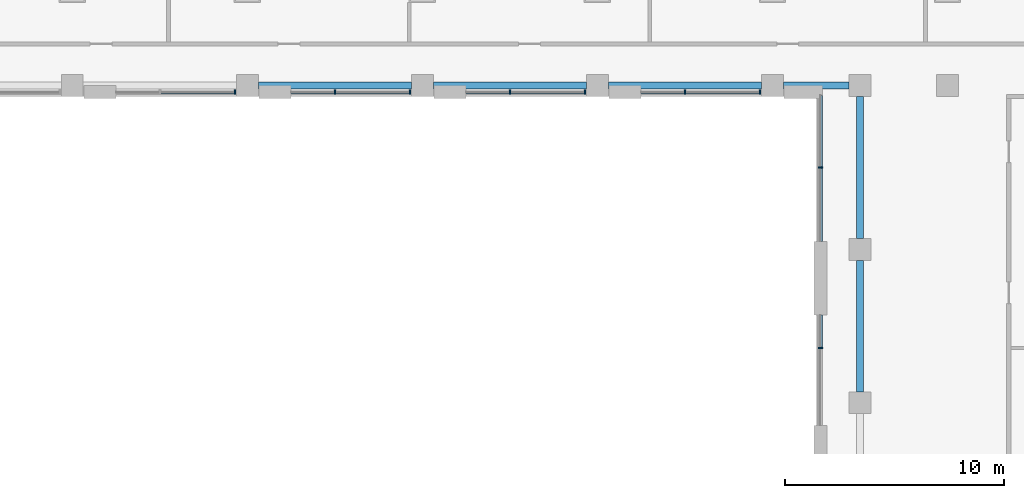
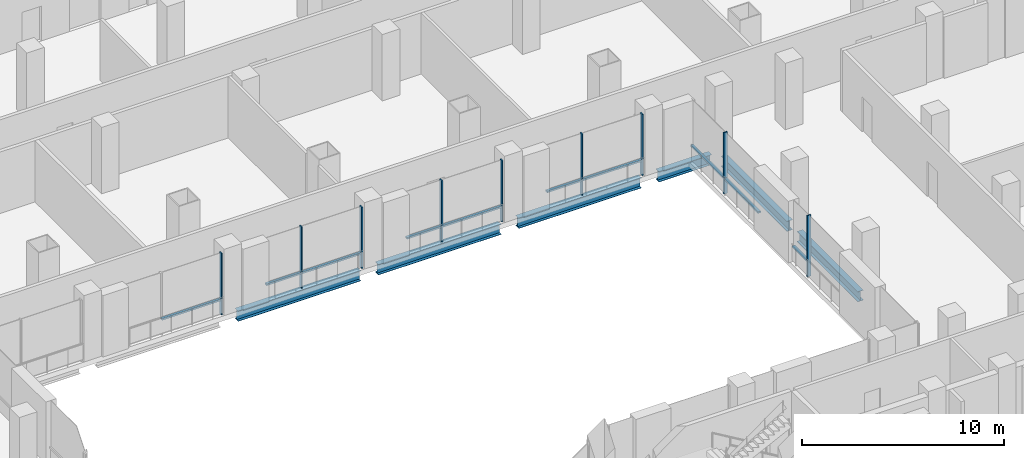
# One storey, part 4 of 25: 19 members, 6 beams, 6 elements without a shape of their own.
"""IFC4 building model written with IfcOpenShell, lengths in metres."""

from ifc_helpers import new_model, si_unit, direction, frame, origin, origin_2d, place, context, subcontext, project, spatial, rectangle, i_section, extrude, material, material_profile, profile_set, type_object, element, aggregate, save


model = new_model("IFC4")

# Units and contexts
model_context = context("Model", 3, precision=1e-05, world=origin(), true_north=direction((0.0, 1.0)))
body_context = subcontext(model_context, "Body", "Model", "MODEL_VIEW")
ifc_project = project(units=[si_unit("LENGTHUNIT", "METRE"), si_unit("AREAUNIT", "SQUARE_METRE"), si_unit("VOLUMEUNIT", "CUBIC_METRE"), si_unit("PLANEANGLEUNIT", "RADIAN"), si_unit("MASSUNIT", "GRAM", prefix="KILO")], contexts=[model_context])

# Site, building, storey
site_placement = place(None, origin())
site = spatial("IfcSite", under=ifc_project, at=site_placement, CompositionType="ELEMENT")
building_placement = place(site_placement, origin())
building = spatial("IfcBuilding", under=site, at=building_placement, Name="Vidyagriha Tower", CompositionType="ELEMENT")
storey_placement = place(building_placement, frame((0.0, 0.0, 18.0)))
storey = spatial("IfcBuildingStorey", under=building, at=storey_placement, Name="L04", CompositionType="ELEMENT", Elevation=18.0)

# Beams
ifc_material_1 = material(Name="Steel ASTM A992 Grade 50", Category="steel")
ifc_material_profile_1 = material_profile(ifc_material_1, i_section(OverallWidth=0.32373046875, OverallDepth=0.612060546875, WebThickness=0.0126953125, FlangeThickness=0.01904296875, at=origin_2d()), Name="W24X104")
ifc_profile_set_1 = profile_set([ifc_material_profile_1], Name="Steel ASTM A992 Grade 50")
beam_type = type_object("IfcBeamType", Name="Atrium edge beam W24X104", PredefinedType="BEAM", material=ifc_profile_set_1)
for number, where, z_axis, x_axis, name in (
    (1, (-5.5, -21.5, -0.60595703125), (1.0, 0.0, 0.0), (0.0, 1.0, 0.0), "st-beam-L04-AT09"),
    (2, (2.5, -21.5, -0.60595703125), (1.0, 0.0, 0.0), (0.0, 1.0, 0.0), "st-beam-L04-AT10"),
    (3, (10.5, -21.5, -0.60595703125), (1.0, 0.0, 0.0), (0.0, 1.0, 0.0), "st-beam-L04-AT11"),
):
    element("IfcBeam", number, at=place(storey_placement, frame(where, z_axis=z_axis, x_axis=x_axis)), inside=storey, type_object=beam_type, Name=name, PredefinedType="BEAM", context=body_context, shape_type="SweptSolid", body=[
        extrude(i_section(OverallWidth=0.32373046875, OverallDepth=0.612060546875, WebThickness=0.0126953125, FlangeThickness=0.01904296875, at=origin_2d()), origin(), (0.0, 0.0, 1.0), 7.0),
    ])
beam_1_placement = place(storey_placement, frame((18.5, -21.5, -0.60595703125), z_axis=(1.0, 0.0, 0.0), x_axis=(0.0, 1.0, 0.0)))
element("IfcBeam", 4, at=beam_1_placement, inside=storey, type_object=beam_type, Name="st-beam-L04-AT12", PredefinedType="BEAM", context=body_context, shape_type="SweptSolid", body=[
    extrude(i_section(OverallWidth=0.32373046875, OverallDepth=0.612060546875, WebThickness=0.0126953125, FlangeThickness=0.01904296875, at=origin_2d()), origin(), (0.0, 0.0, 1.0), 3.0),
])
beam_2_placement = place(storey_placement, frame((22.0, -35.5, -0.60595703125), z_axis=(0.0, 1.0, 0.0), x_axis=(-1.0, 0.0, 0.0)))
element("IfcBeam", 5, at=beam_2_placement, inside=storey, type_object=beam_type, Name="st-beam-L04-AT17", PredefinedType="BEAM", context=body_context, shape_type="SweptSolid", body=[
    extrude(i_section(OverallWidth=0.32373046875, OverallDepth=0.612060546875, WebThickness=0.0126953125, FlangeThickness=0.01904296875, at=origin_2d()), origin(), (0.0, 0.0, 1.0), 6.0),
])
beam_3_placement = place(storey_placement, frame((22.0, -28.5, -0.60595703125), z_axis=(0.0, 1.0, 0.0), x_axis=(-1.0, 0.0, 0.0)))
element("IfcBeam", 6, at=beam_3_placement, inside=storey, type_object=beam_type, Name="st-beam-L04-AT18", PredefinedType="BEAM", context=body_context, shape_type="SweptSolid", body=[
    extrude(i_section(OverallWidth=0.32373046875, OverallDepth=0.612060546875, WebThickness=0.0126953125, FlangeThickness=0.01904296875, at=origin_2d()), origin(), (0.0, 0.0, 1.0), 6.5),
])

# Curtain wall, member
ifc_material_2 = material(Name="Aluminium and glass curtain wall", Category="aluminium")
curtain_wall_type = type_object("IfcCurtainWallType", Name="Atrium screen curtain wall", PredefinedType="USERDEFINED", material=ifc_material_2)
curtain_wall_1_placement = place(storey_placement, origin())
curtain_wall_1 = element("IfcCurtainWall", 7, at=curtain_wall_1_placement, inside=storey, type_object=curtain_wall_type, Name="CW6 atrium screen", ObjectType="UNITISED", PredefinedType="USERDEFINED")
ifc_material_3 = material(Name="Aluminium black anodised", Category="aluminium")
ifc_material_profile_2 = material_profile(ifc_material_3, rectangle(XDim=0.199951171875, YDim=0.070068359375, at=origin_2d()), Name="Mullion 70x200 black aluminium")
ifc_profile_set_2 = profile_set([ifc_material_profile_2], Name="Aluminium black anodised")
member_type_1 = type_object("IfcMemberType", Name="Mullion 70x200 black aluminium", PredefinedType="MULLION", material=ifc_profile_set_2)
member_1_placement = place(storey_placement, frame((-6.56494140625, -21.800048828125, 0.0), z_axis=(0.0, 0.0, 1.0), x_axis=(0.0, 1.0, 0.0)))
member_1 = element("IfcMember", 8, at=member_1_placement, type_object=member_type_1, Name="CW6 mullion 3", PredefinedType="MULLION", context=body_context, shape_type="SweptSolid", body=[
    extrude(rectangle(XDim=0.199951171875, YDim=0.070068359375, at=origin_2d()), origin(), (0.0, 0.0, 1.0), 3.699951171875),
])

# Curtain wall, members
curtain_wall_2_placement = place(storey_placement, origin())
curtain_wall_2 = element("IfcCurtainWall", 9, at=curtain_wall_2_placement, inside=storey, type_object=curtain_wall_type, Name="CW6 atrium screen", ObjectType="UNITISED", PredefinedType="USERDEFINED")
member_2_placement = place(storey_placement, frame((-2.0, -21.800048828125, 0.0), z_axis=(0.0, 0.0, 1.0), x_axis=(0.0, 1.0, 0.0)))
member_2 = element("IfcMember", 10, at=member_2_placement, type_object=member_type_1, Name="CW6 mullion 2", PredefinedType="MULLION", context=body_context, shape_type="SweptSolid", body=[
    extrude(rectangle(XDim=0.199951171875, YDim=0.070068359375, at=origin_2d()), origin(), (0.0, 0.0, 1.0), 3.699951171875),
])
member_3_placement = place(storey_placement, frame((1.43505859375, -21.800048828125, 0.0), z_axis=(0.0, 0.0, 1.0), x_axis=(0.0, 1.0, 0.0)))
member_3 = element("IfcMember", 11, at=member_3_placement, type_object=member_type_1, Name="CW6 mullion 3", PredefinedType="MULLION", context=body_context, shape_type="SweptSolid", body=[
    extrude(rectangle(XDim=0.199951171875, YDim=0.070068359375, at=origin_2d()), origin(), (0.0, 0.0, 1.0), 3.699951171875),
])

curtain_wall_3_placement = place(storey_placement, origin())
curtain_wall_3 = element("IfcCurtainWall", 12, at=curtain_wall_3_placement, inside=storey, type_object=curtain_wall_type, Name="CW6 atrium screen", ObjectType="UNITISED", PredefinedType="USERDEFINED")
member_4_placement = place(storey_placement, frame((6.0, -21.800048828125, 0.0), z_axis=(0.0, 0.0, 1.0), x_axis=(0.0, 1.0, 0.0)))
member_4 = element("IfcMember", 13, at=member_4_placement, type_object=member_type_1, Name="CW6 mullion 2", PredefinedType="MULLION", context=body_context, shape_type="SweptSolid", body=[
    extrude(rectangle(XDim=0.199951171875, YDim=0.070068359375, at=origin_2d()), origin(), (0.0, 0.0, 1.0), 3.699951171875),
])
member_5_placement = place(storey_placement, frame((9.43505859375, -21.800048828125, 0.0), z_axis=(0.0, 0.0, 1.0), x_axis=(0.0, 1.0, 0.0)))
member_5 = element("IfcMember", 14, at=member_5_placement, type_object=member_type_1, Name="CW6 mullion 3", PredefinedType="MULLION", context=body_context, shape_type="SweptSolid", body=[
    extrude(rectangle(XDim=0.199951171875, YDim=0.070068359375, at=origin_2d()), origin(), (0.0, 0.0, 1.0), 3.699951171875),
])

curtain_wall_4_placement = place(storey_placement, origin())
curtain_wall_4 = element("IfcCurtainWall", 15, at=curtain_wall_4_placement, inside=storey, type_object=curtain_wall_type, Name="CW6 atrium screen", ObjectType="UNITISED", PredefinedType="USERDEFINED")
member_6_placement = place(storey_placement, frame((14.0, -21.800048828125, 0.0), z_axis=(0.0, 0.0, 1.0), x_axis=(0.0, 1.0, 0.0)))
member_6 = element("IfcMember", 16, at=member_6_placement, type_object=member_type_1, Name="CW6 mullion 2", PredefinedType="MULLION", context=body_context, shape_type="SweptSolid", body=[
    extrude(rectangle(XDim=0.199951171875, YDim=0.070068359375, at=origin_2d()), origin(), (0.0, 0.0, 1.0), 3.699951171875),
])
member_7_placement = place(storey_placement, frame((17.43505859375, -21.800048828125, 0.0), z_axis=(0.0, 0.0, 1.0), x_axis=(0.0, 1.0, 0.0)))
member_7 = element("IfcMember", 17, at=member_7_placement, type_object=member_type_1, Name="CW6 mullion 3", PredefinedType="MULLION", context=body_context, shape_type="SweptSolid", body=[
    extrude(rectangle(XDim=0.199951171875, YDim=0.070068359375, at=origin_2d()), origin(), (0.0, 0.0, 1.0), 3.699951171875),
])

# Curtain wall, member
curtain_wall_5_placement = place(storey_placement, origin())
curtain_wall_5 = element("IfcCurtainWall", 18, at=curtain_wall_5_placement, inside=storey, type_object=curtain_wall_type, Name="CW6 atrium screen", ObjectType="UNITISED", PredefinedType="USERDEFINED")
member_8_placement = place(storey_placement, frame((20.199951171875, -25.25341796875, 0.0)))
member_8 = element("IfcMember", 19, at=member_8_placement, type_object=member_type_1, Name="CW6 mullion 2", PredefinedType="MULLION", context=body_context, shape_type="SweptSolid", body=[
    extrude(rectangle(XDim=0.199951171875, YDim=0.070068359375, at=origin_2d()), origin(), (0.0, 0.0, 1.0), 3.699951171875),
])

curtain_wall_6_placement = place(storey_placement, origin())
curtain_wall_6 = element("IfcCurtainWall", 20, at=curtain_wall_6_placement, inside=storey, type_object=curtain_wall_type, Name="CW6 atrium screen", ObjectType="UNITISED", PredefinedType="USERDEFINED")
member_9_placement = place(storey_placement, frame((20.199951171875, -33.5, 0.0)))
member_9 = element("IfcMember", 21, at=member_9_placement, type_object=member_type_1, Name="CW6 mullion 2", PredefinedType="MULLION", context=body_context, shape_type="SweptSolid", body=[
    extrude(rectangle(XDim=0.199951171875, YDim=0.070068359375, at=origin_2d()), origin(), (0.0, 0.0, 1.0), 3.699951171875),
])

# Member
ifc_material_4 = material(Name="Aluminium black anodised", Category="aluminium")
ifc_material_profile_3 = material_profile(ifc_material_4, rectangle(XDim=0.159912109375, YDim=0.10009765625, at=origin_2d()), Name="Transom 100x160 black aluminium")
ifc_profile_set_3 = profile_set([ifc_material_profile_3], Name="Aluminium black anodised")
member_type_2 = type_object("IfcMemberType", Name="Transom 100x160 black aluminium", PredefinedType="USERDEFINED", material=ifc_profile_set_3)
member_10_placement = place(storey_placement, frame((-9.965087890625, -21.800048828125, 0.89990234375), z_axis=(1.0, 0.0, 0.0), x_axis=(0.0, 1.0, 0.0)))
member_10 = element("IfcMember", 22, at=member_10_placement, type_object=member_type_2, Name="CW6 transom 2.1", ObjectType="TRANSOM", PredefinedType="USERDEFINED", context=body_context, shape_type="SweptSolid", body=[
    extrude(rectangle(XDim=0.159912109375, YDim=0.10009765625, at=origin_2d()), origin(), (0.0, 0.0, 1.0), 3.364990234375),
])

aggregate(curtain_wall_1, [member_1, member_10])

member_11_placement = place(storey_placement, frame((-4.0, -21.800048828125, 0.89990234375), z_axis=(1.0, 0.0, 0.0), x_axis=(0.0, 1.0, 0.0)))
member_11 = element("IfcMember", 23, at=member_11_placement, type_object=member_type_2, Name="CW6 transom 1.1", ObjectType="TRANSOM", PredefinedType="USERDEFINED", context=body_context, shape_type="SweptSolid", body=[
    extrude(rectangle(XDim=0.159912109375, YDim=0.10009765625, at=origin_2d()), origin(), (0.0, 0.0, 1.0), 1.965087890625),
])

member_12_placement = place(storey_placement, frame((-1.965087890625, -21.800048828125, 0.89990234375), z_axis=(1.0, 0.0, 0.0), x_axis=(0.0, 1.0, 0.0)))
member_12 = element("IfcMember", 24, at=member_12_placement, type_object=member_type_2, Name="CW6 transom 2.1", ObjectType="TRANSOM", PredefinedType="USERDEFINED", context=body_context, shape_type="SweptSolid", body=[
    extrude(rectangle(XDim=0.159912109375, YDim=0.10009765625, at=origin_2d()), origin(), (0.0, 0.0, 1.0), 3.364990234375),
])

aggregate(curtain_wall_2, [member_2, member_3, member_11, member_12])

member_13_placement = place(storey_placement, frame((4.0, -21.800048828125, 0.89990234375), z_axis=(1.0, 0.0, 0.0), x_axis=(0.0, 1.0, 0.0)))
member_13 = element("IfcMember", 25, at=member_13_placement, type_object=member_type_2, Name="CW6 transom 1.1", ObjectType="TRANSOM", PredefinedType="USERDEFINED", context=body_context, shape_type="SweptSolid", body=[
    extrude(rectangle(XDim=0.159912109375, YDim=0.10009765625, at=origin_2d()), origin(), (0.0, 0.0, 1.0), 1.965087890625),
])

member_14_placement = place(storey_placement, frame((6.034912109375, -21.800048828125, 0.89990234375), z_axis=(1.0, 0.0, 0.0), x_axis=(0.0, 1.0, 0.0)))
member_14 = element("IfcMember", 26, at=member_14_placement, type_object=member_type_2, Name="CW6 transom 2.1", ObjectType="TRANSOM", PredefinedType="USERDEFINED", context=body_context, shape_type="SweptSolid", body=[
    extrude(rectangle(XDim=0.159912109375, YDim=0.10009765625, at=origin_2d()), origin(), (0.0, 0.0, 1.0), 3.364990234375),
])

aggregate(curtain_wall_3, [member_4, member_5, member_13, member_14])

member_15_placement = place(storey_placement, frame((12.0, -21.800048828125, 0.89990234375), z_axis=(1.0, 0.0, 0.0), x_axis=(0.0, 1.0, 0.0)))
member_15 = element("IfcMember", 27, at=member_15_placement, type_object=member_type_2, Name="CW6 transom 1.1", ObjectType="TRANSOM", PredefinedType="USERDEFINED", context=body_context, shape_type="SweptSolid", body=[
    extrude(rectangle(XDim=0.159912109375, YDim=0.10009765625, at=origin_2d()), origin(), (0.0, 0.0, 1.0), 1.965087890625),
])

member_16_placement = place(storey_placement, frame((14.034912109375, -21.800048828125, 0.89990234375), z_axis=(1.0, 0.0, 0.0), x_axis=(0.0, 1.0, 0.0)))
member_16 = element("IfcMember", 28, at=member_16_placement, type_object=member_type_2, Name="CW6 transom 2.1", ObjectType="TRANSOM", PredefinedType="USERDEFINED", context=body_context, shape_type="SweptSolid", body=[
    extrude(rectangle(XDim=0.159912109375, YDim=0.10009765625, at=origin_2d()), origin(), (0.0, 0.0, 1.0), 3.364990234375),
])

aggregate(curtain_wall_4, [member_6, member_7, member_15, member_16])

member_17_placement = place(storey_placement, frame((20.199951171875, -21.949951171875, 0.89990234375), z_axis=(0.0, -1.0, 0.0), x_axis=(1.0, 0.0, 0.0)))
member_17 = element("IfcMember", 29, at=member_17_placement, type_object=member_type_2, Name="CW6 transom 1.1", ObjectType="TRANSOM", PredefinedType="USERDEFINED", context=body_context, shape_type="SweptSolid", body=[
    extrude(rectangle(XDim=0.159912109375, YDim=0.10009765625, at=origin_2d()), origin(), (0.0, 0.0, 1.0), 3.268310546875),
])

member_18_placement = place(storey_placement, frame((20.199951171875, -25.288330078125, 0.89990234375), z_axis=(0.0, -1.0, 0.0), x_axis=(1.0, 0.0, 0.0)))
member_18 = element("IfcMember", 30, at=member_18_placement, type_object=member_type_2, Name="CW6 transom 2.1", ObjectType="TRANSOM", PredefinedType="USERDEFINED", context=body_context, shape_type="SweptSolid", body=[
    extrude(rectangle(XDim=0.159912109375, YDim=0.10009765625, at=origin_2d()), origin(), (0.0, 0.0, 1.0), 3.33837890625),
])

aggregate(curtain_wall_5, [member_8, member_17, member_18])

member_19_placement = place(storey_placement, frame((20.199951171875, -32.0, 0.89990234375), z_axis=(0.0, -1.0, 0.0), x_axis=(1.0, 0.0, 0.0)))
member_19 = element("IfcMember", 31, at=member_19_placement, type_object=member_type_2, Name="CW6 transom 1.1", ObjectType="TRANSOM", PredefinedType="USERDEFINED", context=body_context, shape_type="SweptSolid", body=[
    extrude(rectangle(XDim=0.159912109375, YDim=0.10009765625, at=origin_2d()), origin(), (0.0, 0.0, 1.0), 1.465087890625),
])

aggregate(curtain_wall_6, [member_9, member_19])

save(model, "model.ifc")
